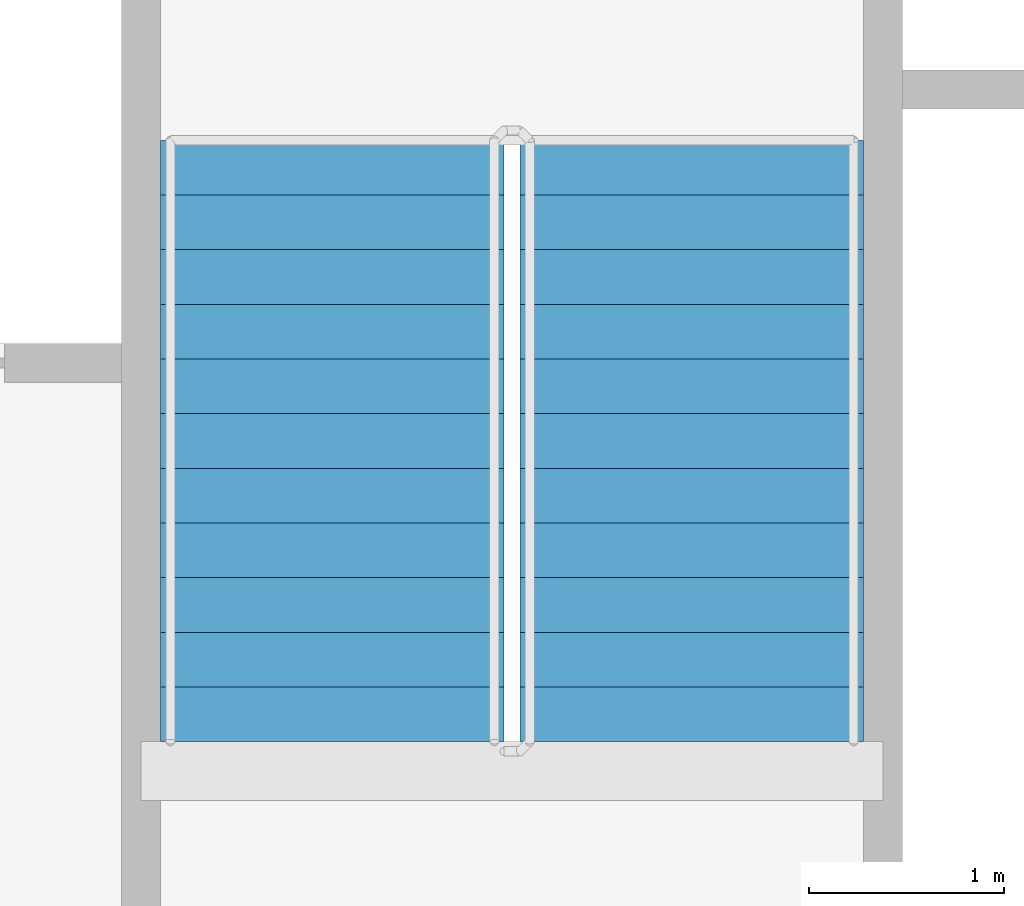
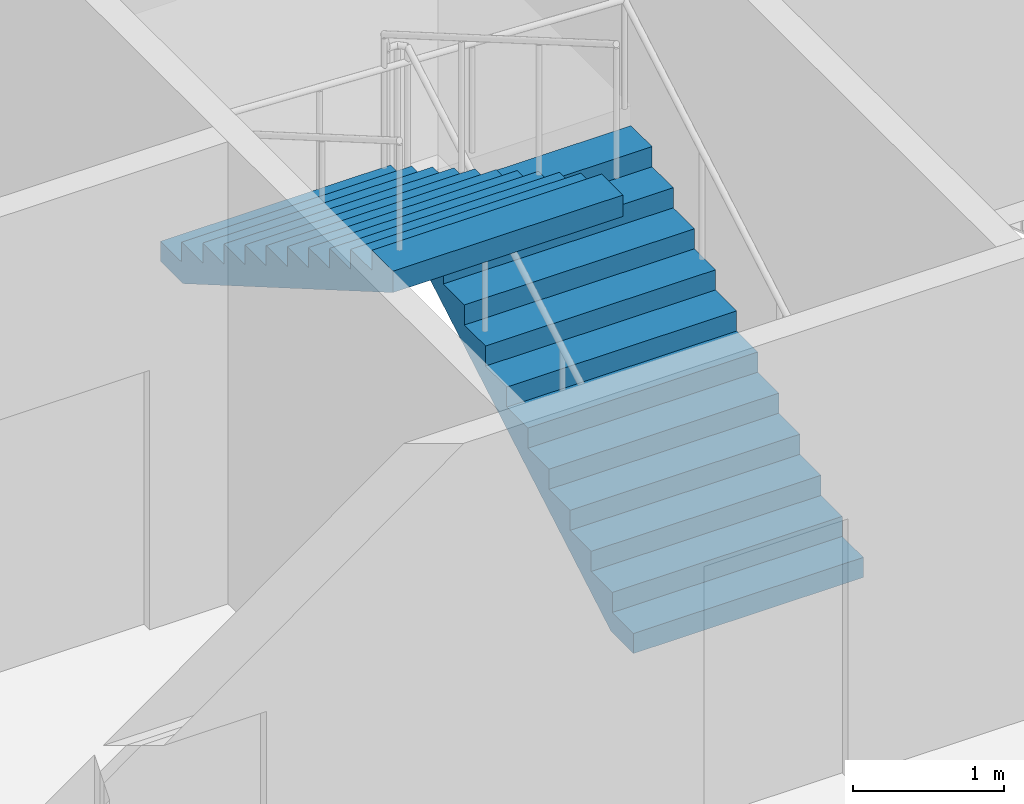
# One storey, part 9 of 14: 2 stair flights, 1 element without a shape of its own.
"""IFC4 building model written with IfcOpenShell, lengths in metres."""

from ifc_helpers import new_model, si_unit, direction, frame, origin, place, context, subcontext, project, spatial, faceted_brep, material, type_object, element, aggregate, save


model = new_model("IFC4")

# Units and contexts
model_context = context("Model", 3, precision=1e-05, world=origin(), true_north=direction((0.0, 1.0)))
body_context = subcontext(model_context, "Body", "Model", "MODEL_VIEW")
ifc_project = project(units=[si_unit("LENGTHUNIT", "METRE"), si_unit("AREAUNIT", "SQUARE_METRE"), si_unit("VOLUMEUNIT", "CUBIC_METRE"), si_unit("PLANEANGLEUNIT", "RADIAN"), si_unit("MASSUNIT", "GRAM", prefix="KILO")], contexts=[model_context])

# Site, building, storey
site_placement = place(None, origin())
site = spatial("IfcSite", under=ifc_project, at=site_placement, CompositionType="ELEMENT")
building_placement = place(site_placement, origin())
building = spatial("IfcBuilding", under=site, at=building_placement, Name="Tarsis Ring Headquarters", CompositionType="ELEMENT")
storey_placement = place(building_placement, frame((0.0, 0.0, 311.89990234375)))
storey = spatial("IfcBuildingStorey", under=building, at=storey_placement, Name="L73", CompositionType="ELEMENT", Elevation=311.89990234375)

# Stair, stair flights
ifc_material_1 = material(Name="Core stair 1760")
stair_type = type_object("IfcStairType", Name="Core stair 1760", PredefinedType="HALF_TURN_STAIR", material=ifc_material_1)
stair_placement = place(storey_placement, origin())
stair = element("IfcStair", 1, at=stair_placement, inside=storey, type_object=stair_type, Name="L73 Exit stair B", PredefinedType="HALF_TURN_STAIR")
ifc_material_2 = material(Name="Concrete C40/50", Category="concrete")
stair_flight_type = type_object("IfcStairFlightType", Name="Core stair flight 1760", PredefinedType="STRAIGHT", material=ifc_material_2)
stair_flight_1_placement = place(storey_placement, frame((5.419921875, 3.659912109375, 0.0), z_axis=(0.0, 0.0, 1.0), x_axis=(0.0, 1.0, 0.0)))
stair_flight_1 = element("IfcStairFlight", 2, at=stair_flight_1_placement, type_object=stair_flight_type, Name="Stair ST2 flight 1", NumberOfRisers=12, NumberOfTreads=11, PredefinedType="STRAIGHT", RiserHeight=0.1625, TreadLength=0.28, context=body_context, shape_type="Brep", body=[
    faceted_brep([(0.0, 0.8798828125, 0.0), (0.0, 0.8798828125, 0.16259765625), (0.280029296875, 0.8798828125, 0.16259765625), (0.280029296875, 0.8798828125, 0.324951171875), (0.56005859375, 0.8798828125, 0.324951171875), (0.56005859375, 0.8798828125, 0.487548828125), (0.840087890625, 0.8798828125, 0.487548828125), (0.840087890625, 0.8798828125, 0.64990234375), (1.1201171875, 0.8798828125, 0.64990234375), (1.1201171875, 0.8798828125, 0.8125), (1.39990234375, 0.8798828125, 0.8125), (1.39990234375, 0.8798828125, 0.97509765625), (1.679931640625, 0.8798828125, 0.97509765625), (1.679931640625, 0.8798828125, 1.137451171875), (1.9599609375, 0.8798828125, 1.137451171875), (1.9599609375, 0.8798828125, 1.300048828125), (2.239990234375, 0.8798828125, 1.300048828125), (2.239990234375, 0.8798828125, 1.46240234375), (2.52001953125, 0.8798828125, 1.46240234375), (2.52001953125, 0.8798828125, 1.625), (2.800048828125, 0.8798828125, 1.625), (2.800048828125, 0.8798828125, 1.78759765625), (3.080078125, 0.8798828125, 1.78759765625), (3.080078125, 0.8798828125, 1.6142578125), (0.298583984375, 0.8798828125, 0.0), (0.298583984375, -0.8798828125, 0.0), (3.080078125, -0.8798828125, 1.6142578125), (3.080078125, -0.8798828125, 1.78759765625), (2.800048828125, -0.8798828125, 1.78759765625), (2.800048828125, -0.8798828125, 1.625), (2.52001953125, -0.8798828125, 1.625), (2.52001953125, -0.8798828125, 1.46240234375), (2.239990234375, -0.8798828125, 1.46240234375), (2.239990234375, -0.8798828125, 1.300048828125), (1.9599609375, -0.8798828125, 1.300048828125), (1.9599609375, -0.8798828125, 1.137451171875), (1.679931640625, -0.8798828125, 1.137451171875), (1.679931640625, -0.8798828125, 0.97509765625), (1.39990234375, -0.8798828125, 0.97509765625), (1.39990234375, -0.8798828125, 0.8125), (1.1201171875, -0.8798828125, 0.8125), (1.1201171875, -0.8798828125, 0.64990234375), (0.840087890625, -0.8798828125, 0.64990234375), (0.840087890625, -0.8798828125, 0.487548828125), (0.56005859375, -0.8798828125, 0.487548828125), (0.56005859375, -0.8798828125, 0.324951171875), (0.280029296875, -0.8798828125, 0.324951171875), (0.280029296875, -0.8798828125, 0.16259765625), (0.0, -0.8798828125, 0.16259765625), (0.0, -0.8798828125, 0.0), (0.0, -0.43994140625, 0.16259765625), (0.0, -0.43994140625, 0.0), (0.0, 0.0, 0.16259765625), (0.0, 0.0, 0.0), (0.0, 0.43994140625, 0.16259765625), (0.0, 0.43994140625, 0.0), (0.280029296875, -0.43994140625, 0.16259765625), (0.280029296875, 0.0, 0.16259765625), (0.280029296875, 0.43994140625, 0.16259765625), (0.280029296875, -0.43994140625, 0.324951171875), (0.280029296875, 0.0, 0.324951171875), (0.280029296875, 0.43994140625, 0.324951171875), (0.56005859375, -0.43994140625, 0.324951171875), (0.56005859375, 0.0, 0.324951171875), (0.56005859375, 0.43994140625, 0.324951171875), (0.56005859375, -0.43994140625, 0.487548828125), (0.56005859375, 0.0, 0.487548828125), (0.56005859375, 0.43994140625, 0.487548828125), (0.840087890625, -0.43994140625, 0.487548828125), (0.840087890625, 0.0, 0.487548828125), (0.840087890625, 0.43994140625, 0.487548828125), (0.840087890625, -0.43994140625, 0.64990234375), (0.840087890625, 0.0, 0.64990234375), (0.840087890625, 0.43994140625, 0.64990234375), (1.1201171875, -0.43994140625, 0.64990234375), (1.1201171875, 0.0, 0.64990234375), (1.1201171875, 0.43994140625, 0.64990234375), (1.1201171875, -0.43994140625, 0.8125), (1.1201171875, 0.0, 0.8125), (1.1201171875, 0.43994140625, 0.8125), (1.39990234375, -0.43994140625, 0.8125), (1.39990234375, 0.0, 0.8125), (1.39990234375, 0.43994140625, 0.8125), (1.39990234375, -0.43994140625, 0.97509765625), (1.39990234375, 0.0, 0.97509765625), (1.39990234375, 0.43994140625, 0.97509765625), (1.679931640625, -0.43994140625, 0.97509765625), (1.679931640625, 0.0, 0.97509765625), (1.679931640625, 0.43994140625, 0.97509765625), (1.679931640625, -0.43994140625, 1.137451171875), (1.679931640625, 0.0, 1.137451171875), (1.679931640625, 0.43994140625, 1.137451171875), (1.9599609375, -0.43994140625, 1.137451171875), (1.9599609375, 0.0, 1.137451171875), (1.9599609375, 0.43994140625, 1.137451171875), (1.9599609375, -0.43994140625, 1.300048828125), (1.9599609375, 0.0, 1.300048828125), (1.9599609375, 0.43994140625, 1.300048828125), (2.239990234375, -0.43994140625, 1.300048828125), (2.239990234375, 0.0, 1.300048828125), (2.239990234375, 0.43994140625, 1.300048828125), (2.239990234375, -0.43994140625, 1.46240234375), (2.239990234375, 0.0, 1.46240234375), (2.239990234375, 0.43994140625, 1.46240234375), (2.52001953125, -0.43994140625, 1.46240234375), (2.52001953125, 0.0, 1.46240234375), (2.52001953125, 0.43994140625, 1.46240234375), (2.52001953125, -0.43994140625, 1.625), (2.52001953125, 0.0, 1.625), (2.52001953125, 0.43994140625, 1.625), (2.800048828125, -0.43994140625, 1.625), (2.800048828125, 0.0, 1.625), (2.800048828125, 0.43994140625, 1.625), (2.800048828125, -0.43994140625, 1.78759765625), (2.800048828125, 0.0, 1.78759765625), (2.800048828125, 0.43994140625, 1.78759765625), (3.080078125, -0.43994140625, 1.78759765625), (3.080078125, 0.0, 1.78759765625), (3.080078125, 0.43994140625, 1.78759765625), (3.080078125, -0.43994140625, 1.6142578125), (3.080078125, 0.0, 1.6142578125), (3.080078125, 0.43994140625, 1.6142578125), (0.298583984375, -0.43994140625, 0.0), (0.298583984375, 0.0, 0.0), (0.298583984375, 0.43994140625, 0.0)], [[[0, 1, 2, 3, 4, 5, 6, 7, 8, 9, 10, 11, 12, 13, 14, 15, 16, 17, 18, 19, 20, 21, 22, 23, 24]], [[25, 26, 27, 28, 29, 30, 31, 32, 33, 34, 35, 36, 37, 38, 39, 40, 41, 42, 43, 44, 45, 46, 47, 48, 49]], [[49, 48, 50, 51]], [[51, 50, 52, 53]], [[53, 52, 54, 55]], [[55, 54, 1, 0]], [[48, 47, 56, 50]], [[50, 56, 57, 52]], [[52, 57, 58, 54]], [[54, 58, 2, 1]], [[47, 46, 59, 56]], [[56, 59, 60, 57]], [[57, 60, 61, 58]], [[58, 61, 3, 2]], [[46, 45, 62, 59]], [[59, 62, 63, 60]], [[60, 63, 64, 61]], [[61, 64, 4, 3]], [[45, 44, 65, 62]], [[62, 65, 66, 63]], [[63, 66, 67, 64]], [[64, 67, 5, 4]], [[44, 43, 68, 65]], [[65, 68, 69, 66]], [[66, 69, 70, 67]], [[67, 70, 6, 5]], [[43, 42, 71, 68]], [[68, 71, 72, 69]], [[69, 72, 73, 70]], [[70, 73, 7, 6]], [[42, 41, 74, 71]], [[71, 74, 75, 72]], [[72, 75, 76, 73]], [[73, 76, 8, 7]], [[41, 40, 77, 74]], [[74, 77, 78, 75]], [[75, 78, 79, 76]], [[76, 79, 9, 8]], [[40, 39, 80, 77]], [[77, 80, 81, 78]], [[78, 81, 82, 79]], [[79, 82, 10, 9]], [[39, 38, 83, 80]], [[80, 83, 84, 81]], [[81, 84, 85, 82]], [[82, 85, 11, 10]], [[38, 37, 86, 83]], [[83, 86, 87, 84]], [[84, 87, 88, 85]], [[85, 88, 12, 11]], [[37, 36, 89, 86]], [[86, 89, 90, 87]], [[87, 90, 91, 88]], [[88, 91, 13, 12]], [[36, 35, 92, 89]], [[89, 92, 93, 90]], [[90, 93, 94, 91]], [[91, 94, 14, 13]], [[35, 34, 95, 92]], [[92, 95, 96, 93]], [[93, 96, 97, 94]], [[94, 97, 15, 14]], [[34, 33, 98, 95]], [[95, 98, 99, 96]], [[96, 99, 100, 97]], [[97, 100, 16, 15]], [[33, 32, 101, 98]], [[98, 101, 102, 99]], [[99, 102, 103, 100]], [[100, 103, 17, 16]], [[32, 31, 104, 101]], [[101, 104, 105, 102]], [[102, 105, 106, 103]], [[103, 106, 18, 17]], [[31, 30, 107, 104]], [[104, 107, 108, 105]], [[105, 108, 109, 106]], [[106, 109, 19, 18]], [[30, 29, 110, 107]], [[107, 110, 111, 108]], [[108, 111, 112, 109]], [[109, 112, 20, 19]], [[29, 28, 113, 110]], [[110, 113, 114, 111]], [[111, 114, 115, 112]], [[112, 115, 21, 20]], [[28, 27, 116, 113]], [[113, 116, 117, 114]], [[114, 117, 118, 115]], [[115, 118, 22, 21]], [[27, 26, 119, 116]], [[116, 119, 120, 117]], [[117, 120, 121, 118]], [[118, 121, 23, 22]], [[26, 25, 122, 119]], [[119, 122, 123, 120]], [[120, 123, 124, 121]], [[121, 124, 24, 23]], [[25, 49, 51, 122]], [[122, 51, 53, 123]], [[123, 53, 55, 124]], [[124, 55, 0, 24]]]),
])
stair_flight_2_placement = place(storey_placement, frame((3.580078125, 6.739990234375, 1.9501953125), z_axis=(0.0, 0.0, 1.0), x_axis=(0.0, -1.0, 0.0)))
stair_flight_2 = element("IfcStairFlight", 3, at=stair_flight_2_placement, type_object=stair_flight_type, Name="Stair ST2 flight 2", NumberOfRisers=12, NumberOfTreads=11, PredefinedType="STRAIGHT", RiserHeight=0.1625, TreadLength=0.28, context=body_context, shape_type="Brep", body=[
    faceted_brep([(0.0, 0.8798828125, 0.0), (0.0, 0.8798828125, 0.16259765625), (0.280029296875, 0.8798828125, 0.16259765625), (0.280029296875, 0.8798828125, 0.324951171875), (0.56005859375, 0.8798828125, 0.324951171875), (0.56005859375, 0.8798828125, 0.487548828125), (0.840087890625, 0.8798828125, 0.487548828125), (0.840087890625, 0.8798828125, 0.64990234375), (1.1201171875, 0.8798828125, 0.64990234375), (1.1201171875, 0.8798828125, 0.8125), (1.39990234375, 0.8798828125, 0.8125), (1.39990234375, 0.8798828125, 0.97509765625), (1.679931640625, 0.8798828125, 0.97509765625), (1.679931640625, 0.8798828125, 1.137451171875), (1.9599609375, 0.8798828125, 1.137451171875), (1.9599609375, 0.8798828125, 1.300048828125), (2.239990234375, 0.8798828125, 1.300048828125), (2.239990234375, 0.8798828125, 1.46240234375), (2.52001953125, 0.8798828125, 1.46240234375), (2.52001953125, 0.8798828125, 1.625), (2.800048828125, 0.8798828125, 1.625), (2.800048828125, 0.8798828125, 1.78759765625), (3.080078125, 0.8798828125, 1.78759765625), (3.080078125, 0.8798828125, 1.6142578125), (0.298583984375, 0.8798828125, 0.0), (0.298583984375, -0.8798828125, 0.0), (3.080078125, -0.8798828125, 1.6142578125), (3.080078125, -0.8798828125, 1.78759765625), (2.800048828125, -0.8798828125, 1.78759765625), (2.800048828125, -0.8798828125, 1.625), (2.52001953125, -0.8798828125, 1.625), (2.52001953125, -0.8798828125, 1.46240234375), (2.239990234375, -0.8798828125, 1.46240234375), (2.239990234375, -0.8798828125, 1.300048828125), (1.9599609375, -0.8798828125, 1.300048828125), (1.9599609375, -0.8798828125, 1.137451171875), (1.679931640625, -0.8798828125, 1.137451171875), (1.679931640625, -0.8798828125, 0.97509765625), (1.39990234375, -0.8798828125, 0.97509765625), (1.39990234375, -0.8798828125, 0.8125), (1.1201171875, -0.8798828125, 0.8125), (1.1201171875, -0.8798828125, 0.64990234375), (0.840087890625, -0.8798828125, 0.64990234375), (0.840087890625, -0.8798828125, 0.487548828125), (0.56005859375, -0.8798828125, 0.487548828125), (0.56005859375, -0.8798828125, 0.324951171875), (0.280029296875, -0.8798828125, 0.324951171875), (0.280029296875, -0.8798828125, 0.16259765625), (0.0, -0.8798828125, 0.16259765625), (0.0, -0.8798828125, 0.0), (0.0, -0.43994140625, 0.16259765625), (0.0, -0.43994140625, 0.0), (0.0, 0.0, 0.16259765625), (0.0, 0.0, 0.0), (0.0, 0.43994140625, 0.16259765625), (0.0, 0.43994140625, 0.0), (0.280029296875, -0.43994140625, 0.16259765625), (0.280029296875, 0.0, 0.16259765625), (0.280029296875, 0.43994140625, 0.16259765625), (0.280029296875, -0.43994140625, 0.324951171875), (0.280029296875, 0.0, 0.324951171875), (0.280029296875, 0.43994140625, 0.324951171875), (0.56005859375, -0.43994140625, 0.324951171875), (0.56005859375, 0.0, 0.324951171875), (0.56005859375, 0.43994140625, 0.324951171875), (0.56005859375, -0.43994140625, 0.487548828125), (0.56005859375, 0.0, 0.487548828125), (0.56005859375, 0.43994140625, 0.487548828125), (0.840087890625, -0.43994140625, 0.487548828125), (0.840087890625, 0.0, 0.487548828125), (0.840087890625, 0.43994140625, 0.487548828125), (0.840087890625, -0.43994140625, 0.64990234375), (0.840087890625, 0.0, 0.64990234375), (0.840087890625, 0.43994140625, 0.64990234375), (1.1201171875, -0.43994140625, 0.64990234375), (1.1201171875, 0.0, 0.64990234375), (1.1201171875, 0.43994140625, 0.64990234375), (1.1201171875, -0.43994140625, 0.8125), (1.1201171875, 0.0, 0.8125), (1.1201171875, 0.43994140625, 0.8125), (1.39990234375, -0.43994140625, 0.8125), (1.39990234375, 0.0, 0.8125), (1.39990234375, 0.43994140625, 0.8125), (1.39990234375, -0.43994140625, 0.97509765625), (1.39990234375, 0.0, 0.97509765625), (1.39990234375, 0.43994140625, 0.97509765625), (1.679931640625, -0.43994140625, 0.97509765625), (1.679931640625, 0.0, 0.97509765625), (1.679931640625, 0.43994140625, 0.97509765625), (1.679931640625, -0.43994140625, 1.137451171875), (1.679931640625, 0.0, 1.137451171875), (1.679931640625, 0.43994140625, 1.137451171875), (1.9599609375, -0.43994140625, 1.137451171875), (1.9599609375, 0.0, 1.137451171875), (1.9599609375, 0.43994140625, 1.137451171875), (1.9599609375, -0.43994140625, 1.300048828125), (1.9599609375, 0.0, 1.300048828125), (1.9599609375, 0.43994140625, 1.300048828125), (2.239990234375, -0.43994140625, 1.300048828125), (2.239990234375, 0.0, 1.300048828125), (2.239990234375, 0.43994140625, 1.300048828125), (2.239990234375, -0.43994140625, 1.46240234375), (2.239990234375, 0.0, 1.46240234375), (2.239990234375, 0.43994140625, 1.46240234375), (2.52001953125, -0.43994140625, 1.46240234375), (2.52001953125, 0.0, 1.46240234375), (2.52001953125, 0.43994140625, 1.46240234375), (2.52001953125, -0.43994140625, 1.625), (2.52001953125, 0.0, 1.625), (2.52001953125, 0.43994140625, 1.625), (2.800048828125, -0.43994140625, 1.625), (2.800048828125, 0.0, 1.625), (2.800048828125, 0.43994140625, 1.625), (2.800048828125, -0.43994140625, 1.78759765625), (2.800048828125, 0.0, 1.78759765625), (2.800048828125, 0.43994140625, 1.78759765625), (3.080078125, -0.43994140625, 1.78759765625), (3.080078125, 0.0, 1.78759765625), (3.080078125, 0.43994140625, 1.78759765625), (3.080078125, -0.43994140625, 1.6142578125), (3.080078125, 0.0, 1.6142578125), (3.080078125, 0.43994140625, 1.6142578125), (0.298583984375, -0.43994140625, 0.0), (0.298583984375, 0.0, 0.0), (0.298583984375, 0.43994140625, 0.0)], [[[0, 1, 2, 3, 4, 5, 6, 7, 8, 9, 10, 11, 12, 13, 14, 15, 16, 17, 18, 19, 20, 21, 22, 23, 24]], [[25, 26, 27, 28, 29, 30, 31, 32, 33, 34, 35, 36, 37, 38, 39, 40, 41, 42, 43, 44, 45, 46, 47, 48, 49]], [[49, 48, 50, 51]], [[51, 50, 52, 53]], [[53, 52, 54, 55]], [[55, 54, 1, 0]], [[48, 47, 56, 50]], [[50, 56, 57, 52]], [[52, 57, 58, 54]], [[54, 58, 2, 1]], [[47, 46, 59, 56]], [[56, 59, 60, 57]], [[57, 60, 61, 58]], [[58, 61, 3, 2]], [[46, 45, 62, 59]], [[59, 62, 63, 60]], [[60, 63, 64, 61]], [[61, 64, 4, 3]], [[45, 44, 65, 62]], [[62, 65, 66, 63]], [[63, 66, 67, 64]], [[64, 67, 5, 4]], [[44, 43, 68, 65]], [[65, 68, 69, 66]], [[66, 69, 70, 67]], [[67, 70, 6, 5]], [[43, 42, 71, 68]], [[68, 71, 72, 69]], [[69, 72, 73, 70]], [[70, 73, 7, 6]], [[42, 41, 74, 71]], [[71, 74, 75, 72]], [[72, 75, 76, 73]], [[73, 76, 8, 7]], [[41, 40, 77, 74]], [[74, 77, 78, 75]], [[75, 78, 79, 76]], [[76, 79, 9, 8]], [[40, 39, 80, 77]], [[77, 80, 81, 78]], [[78, 81, 82, 79]], [[79, 82, 10, 9]], [[39, 38, 83, 80]], [[80, 83, 84, 81]], [[81, 84, 85, 82]], [[82, 85, 11, 10]], [[38, 37, 86, 83]], [[83, 86, 87, 84]], [[84, 87, 88, 85]], [[85, 88, 12, 11]], [[37, 36, 89, 86]], [[86, 89, 90, 87]], [[87, 90, 91, 88]], [[88, 91, 13, 12]], [[36, 35, 92, 89]], [[89, 92, 93, 90]], [[90, 93, 94, 91]], [[91, 94, 14, 13]], [[35, 34, 95, 92]], [[92, 95, 96, 93]], [[93, 96, 97, 94]], [[94, 97, 15, 14]], [[34, 33, 98, 95]], [[95, 98, 99, 96]], [[96, 99, 100, 97]], [[97, 100, 16, 15]], [[33, 32, 101, 98]], [[98, 101, 102, 99]], [[99, 102, 103, 100]], [[100, 103, 17, 16]], [[32, 31, 104, 101]], [[101, 104, 105, 102]], [[102, 105, 106, 103]], [[103, 106, 18, 17]], [[31, 30, 107, 104]], [[104, 107, 108, 105]], [[105, 108, 109, 106]], [[106, 109, 19, 18]], [[30, 29, 110, 107]], [[107, 110, 111, 108]], [[108, 111, 112, 109]], [[109, 112, 20, 19]], [[29, 28, 113, 110]], [[110, 113, 114, 111]], [[111, 114, 115, 112]], [[112, 115, 21, 20]], [[28, 27, 116, 113]], [[113, 116, 117, 114]], [[114, 117, 118, 115]], [[115, 118, 22, 21]], [[27, 26, 119, 116]], [[116, 119, 120, 117]], [[117, 120, 121, 118]], [[118, 121, 23, 22]], [[26, 25, 122, 119]], [[119, 122, 123, 120]], [[120, 123, 124, 121]], [[121, 124, 24, 23]], [[25, 49, 51, 122]], [[122, 51, 53, 123]], [[123, 53, 55, 124]], [[124, 55, 0, 24]]]),
])
aggregate(stair, [stair_flight_1, stair_flight_2])

save(model, "model.ifc")
